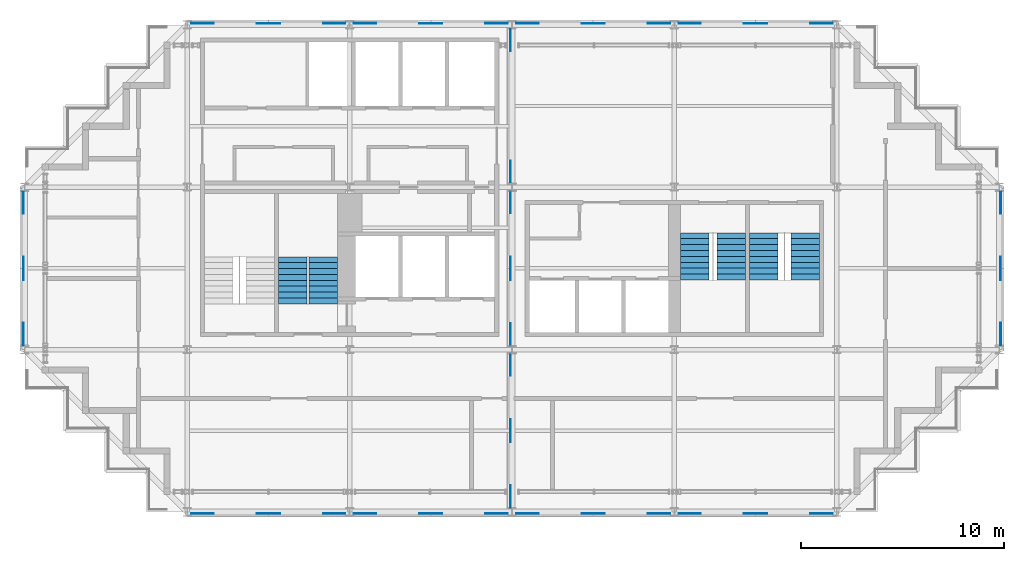
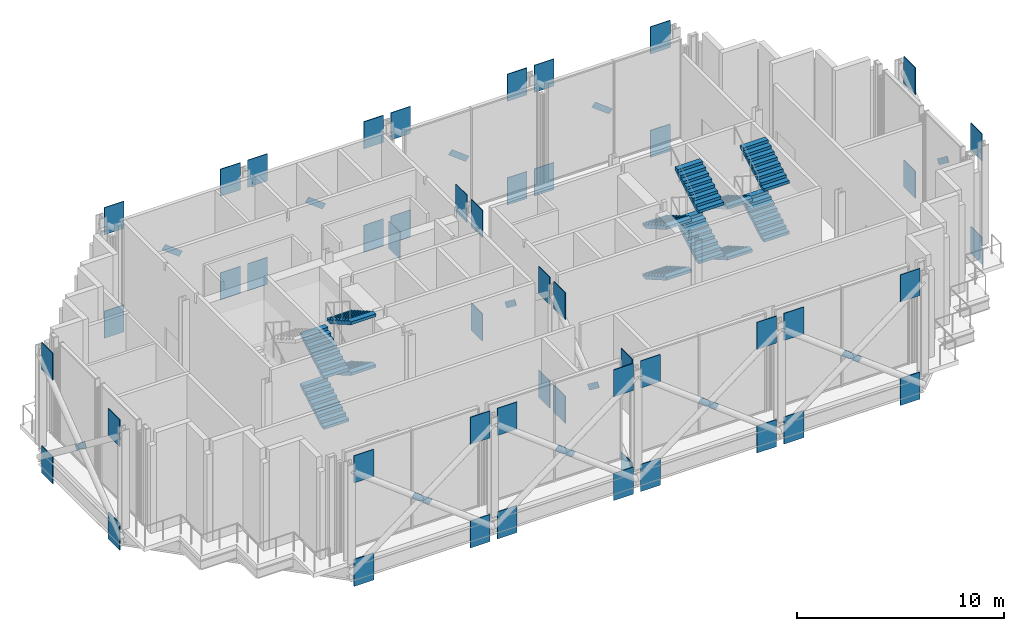
# One storey, part 14 of 16: 62 discrete accessories, 12 stair flights, 3 elements without a shape of their own.
"""IFC4 building model written with IfcOpenShell, lengths in metres."""

from ifc_helpers import new_model, si_unit, direction, frame, origin, origin_2d, place, context, subcontext, project, spatial, polyline, rectangle, outline, extrude, material, material_profile, profile_set, type_object, element, aggregate, save


model = new_model("IFC4")

# Units and contexts
model_context = context("Model", 3, precision=1e-05, world=origin(), true_north=direction((0.0, 1.0)))
body_context = subcontext(model_context, "Body", "Model", "MODEL_VIEW")
ifc_project = project(units=[si_unit("LENGTHUNIT", "METRE"), si_unit("AREAUNIT", "SQUARE_METRE"), si_unit("VOLUMEUNIT", "CUBIC_METRE"), si_unit("PLANEANGLEUNIT", "RADIAN"), si_unit("MASSUNIT", "GRAM", prefix="KILO")], contexts=[model_context])

# Site, building, storey
site_placement = place(None, origin())
site = spatial("IfcSite", under=ifc_project, at=site_placement, CompositionType="ELEMENT")
building_placement = place(site_placement, origin())
building = spatial("IfcBuilding", under=site, at=building_placement, Name="Immortelle Media Tower", CompositionType="ELEMENT")
storey_placement = place(building_placement, frame((0.0, 0.0, 241.0)))
storey = spatial("IfcBuildingStorey", under=building, at=storey_placement, Name="L52", CompositionType="ELEMENT", Elevation=241.0)

# Stair, stair flights
ifc_material_1 = material(Name="Steel ASTM A992 Gr 50", Category="steel")
stair_type = type_object("IfcStairType", Name="Stair with flights", PredefinedType="DOUBLE_RETURN_STAIR", material=ifc_material_1)
stair_1_placement = place(storey_placement, origin())
stair_1 = element("IfcStair", 1, at=stair_1_placement, inside=storey, type_object=stair_type, Name="Exit stair SW2", PredefinedType="DOUBLE_RETURN_STAIR")
stair_flight_type = type_object("IfcStairFlightType", Name="Stair flight 1400", PredefinedType="STRAIGHT", material=ifc_material_1)
stair_flight_1_placement = place(storey_placement, frame((13.199951171875, 10.25, 0.0), z_axis=(0.0, 0.0, 1.0), x_axis=(0.0, 1.0, 0.0)))
stair_flight_1 = element("IfcStairFlight", 2, at=stair_flight_1_placement, type_object=stair_flight_type, Name="ST SW2 flight 1", NumberOfRisers=9, NumberOfTreads=8, PredefinedType="STRAIGHT", RiserHeight=0.166666667, TreadLength=0.29, context=body_context, shape_type="SweptSolid", body=[
    extrude(outline(polyline([(0.0, 0.0), (0.0, 0.166748046875), (0.2900390625, 0.166748046875), (0.2900390625, 0.333251953125), (0.580078125, 0.333251953125), (0.580078125, 0.5), (0.8701171875, 0.5), (0.8701171875, 0.666748046875), (1.159912109375, 0.666748046875), (1.159912109375, 0.833251953125), (1.449951171875, 0.833251953125), (1.449951171875, 1.0), (1.739990234375, 1.0), (1.739990234375, 1.166748046875), (2.030029296875, 1.166748046875), (2.030029296875, 1.333251953125), (2.320068359375, 1.333251953125), (2.320068359375, 1.5), (2.320068359375, 1.160400390625), (0.30078125, 0.0), (0.0, 0.0)])), frame((0.0, 0.699951171875, 0.0), z_axis=(0.0, -1.0, 0.0), x_axis=(1.0, 0.0, 0.0)), (0.0, 0.0, 1.0), 1.39990234375),
])
stair_flight_2_placement = place(storey_placement, frame((14.699951171875, 12.570068359375, 1.5), z_axis=(0.0, 0.0, 1.0), x_axis=(0.0, -1.0, 0.0)))
stair_flight_2 = element("IfcStairFlight", 3, at=stair_flight_2_placement, type_object=stair_flight_type, Name="ST SW2 flight 2", NumberOfRisers=9, NumberOfTreads=8, PredefinedType="STRAIGHT", RiserHeight=0.166666667, TreadLength=0.29, context=body_context, shape_type="SweptSolid", body=[
    extrude(outline(polyline([(0.0, 0.0), (0.0, 0.166748046875), (0.2900390625, 0.166748046875), (0.2900390625, 0.333251953125), (0.580078125, 0.333251953125), (0.580078125, 0.5), (0.8701171875, 0.5), (0.8701171875, 0.666748046875), (1.159912109375, 0.666748046875), (1.159912109375, 0.833251953125), (1.449951171875, 0.833251953125), (1.449951171875, 1.0), (1.739990234375, 1.0), (1.739990234375, 1.166748046875), (2.030029296875, 1.166748046875), (2.030029296875, 1.333251953125), (2.320068359375, 1.333251953125), (2.320068359375, 1.5), (2.320068359375, 1.160400390625), (0.30078125, 0.0), (0.0, 0.0)])), frame((0.0, 0.699951171875, 0.0), z_axis=(0.0, -1.0, 0.0), x_axis=(1.0, 0.0, 0.0)), (0.0, 0.0, 1.0), 1.39990234375),
])
stair_flight_3_placement = place(storey_placement, frame((13.199951171875, 10.25, 3.0), z_axis=(0.0, 0.0, 1.0), x_axis=(0.0, 1.0, 0.0)))
stair_flight_3 = element("IfcStairFlight", 4, at=stair_flight_3_placement, type_object=stair_flight_type, Name="ST SW2 flight 3", NumberOfRisers=9, NumberOfTreads=8, PredefinedType="STRAIGHT", RiserHeight=0.166666667, TreadLength=0.29, context=body_context, shape_type="SweptSolid", body=[
    extrude(outline(polyline([(0.0, 0.0), (0.0, 0.166748046875), (0.2900390625, 0.166748046875), (0.2900390625, 0.333251953125), (0.580078125, 0.333251953125), (0.580078125, 0.5), (0.8701171875, 0.5), (0.8701171875, 0.666748046875), (1.159912109375, 0.666748046875), (1.159912109375, 0.833251953125), (1.449951171875, 0.833251953125), (1.449951171875, 1.0), (1.739990234375, 1.0), (1.739990234375, 1.166748046875), (2.030029296875, 1.166748046875), (2.030029296875, 1.333251953125), (2.320068359375, 1.333251953125), (2.320068359375, 1.5), (2.320068359375, 1.160400390625), (0.30078125, 0.0), (0.0, 0.0)])), frame((0.0, 0.699951171875, 0.0), z_axis=(0.0, -1.0, 0.0), x_axis=(1.0, 0.0, 0.0)), (0.0, 0.0, 1.0), 1.39990234375),
])
stair_flight_4_placement = place(storey_placement, frame((14.699951171875, 12.570068359375, 4.5), z_axis=(0.0, 0.0, 1.0), x_axis=(0.0, -1.0, 0.0)))
stair_flight_4 = element("IfcStairFlight", 5, at=stair_flight_4_placement, type_object=stair_flight_type, Name="ST SW2 flight 4", NumberOfRisers=9, NumberOfTreads=8, PredefinedType="STRAIGHT", RiserHeight=0.166666667, TreadLength=0.29, context=body_context, shape_type="SweptSolid", body=[
    extrude(outline(polyline([(0.0, 0.0), (0.0, 0.166748046875), (0.2900390625, 0.166748046875), (0.2900390625, 0.333251953125), (0.580078125, 0.333251953125), (0.580078125, 0.5), (0.8701171875, 0.5), (0.8701171875, 0.666748046875), (1.159912109375, 0.666748046875), (1.159912109375, 0.833251953125), (1.449951171875, 0.833251953125), (1.449951171875, 1.0), (1.739990234375, 1.0), (1.739990234375, 1.166748046875), (2.030029296875, 1.166748046875), (2.030029296875, 1.333251953125), (2.320068359375, 1.333251953125), (2.320068359375, 1.5), (2.320068359375, 1.160400390625), (0.30078125, 0.0), (0.0, 0.0)])), frame((0.0, 0.699951171875, 0.0), z_axis=(0.0, -1.0, 0.0), x_axis=(1.0, 0.0, 0.0)), (0.0, 0.0, 1.0), 1.39990234375),
])
aggregate(stair_1, [stair_flight_1, stair_flight_2, stair_flight_3, stair_flight_4])

stair_2_placement = place(storey_placement, origin())
stair_2 = element("IfcStair", 6, at=stair_2_placement, inside=storey, type_object=stair_type, Name="Exit stair SE1", PredefinedType="DOUBLE_RETURN_STAIR")
stair_flight_5_placement = place(storey_placement, frame((33.0, 13.75, 0.0), z_axis=(0.0, 0.0, 1.0), x_axis=(0.0, -1.0, 0.0)))
stair_flight_5 = element("IfcStairFlight", 7, at=stair_flight_5_placement, type_object=stair_flight_type, Name="ST SE1 flight 1", NumberOfRisers=9, NumberOfTreads=8, PredefinedType="STRAIGHT", RiserHeight=0.166666667, TreadLength=0.29, context=body_context, shape_type="SweptSolid", body=[
    extrude(outline(polyline([(0.0, 0.0), (0.0, 0.166748046875), (0.2900390625, 0.166748046875), (0.2900390625, 0.333251953125), (0.580078125, 0.333251953125), (0.580078125, 0.5), (0.8701171875, 0.5), (0.8701171875, 0.666748046875), (1.159912109375, 0.666748046875), (1.159912109375, 0.833251953125), (1.449951171875, 0.833251953125), (1.449951171875, 1.0), (1.739990234375, 1.0), (1.739990234375, 1.166748046875), (2.030029296875, 1.166748046875), (2.030029296875, 1.333251953125), (2.320068359375, 1.333251953125), (2.320068359375, 1.5), (2.320068359375, 1.160400390625), (0.30078125, 0.0), (0.0, 0.0)])), frame((0.0, 0.699951171875, 0.0), z_axis=(0.0, -1.0, 0.0), x_axis=(1.0, 0.0, 0.0)), (0.0, 0.0, 1.0), 1.39990234375),
])
stair_flight_6_placement = place(storey_placement, frame((34.800048828125, 11.429931640625, 1.5), z_axis=(0.0, 0.0, 1.0), x_axis=(0.0, 1.0, 0.0)))
stair_flight_6 = element("IfcStairFlight", 8, at=stair_flight_6_placement, type_object=stair_flight_type, Name="ST SE1 flight 2", NumberOfRisers=9, NumberOfTreads=8, PredefinedType="STRAIGHT", RiserHeight=0.166666667, TreadLength=0.29, context=body_context, shape_type="SweptSolid", body=[
    extrude(outline(polyline([(0.0, 0.0), (0.0, 0.166748046875), (0.2900390625, 0.166748046875), (0.2900390625, 0.333251953125), (0.580078125, 0.333251953125), (0.580078125, 0.5), (0.8701171875, 0.5), (0.8701171875, 0.666748046875), (1.159912109375, 0.666748046875), (1.159912109375, 0.833251953125), (1.449951171875, 0.833251953125), (1.449951171875, 1.0), (1.739990234375, 1.0), (1.739990234375, 1.166748046875), (2.030029296875, 1.166748046875), (2.030029296875, 1.333251953125), (2.320068359375, 1.333251953125), (2.320068359375, 1.5), (2.320068359375, 1.160400390625), (0.30078125, 0.0), (0.0, 0.0)])), frame((0.0, 0.699951171875, 0.0), z_axis=(0.0, -1.0, 0.0), x_axis=(1.0, 0.0, 0.0)), (0.0, 0.0, 1.0), 1.39990234375),
])
stair_flight_7_placement = place(storey_placement, frame((33.0, 13.75, 3.0), z_axis=(0.0, 0.0, 1.0), x_axis=(0.0, -1.0, 0.0)))
stair_flight_7 = element("IfcStairFlight", 9, at=stair_flight_7_placement, type_object=stair_flight_type, Name="ST SE1 flight 3", NumberOfRisers=9, NumberOfTreads=8, PredefinedType="STRAIGHT", RiserHeight=0.166666667, TreadLength=0.29, context=body_context, shape_type="SweptSolid", body=[
    extrude(outline(polyline([(0.0, 0.0), (0.0, 0.166748046875), (0.2900390625, 0.166748046875), (0.2900390625, 0.333251953125), (0.580078125, 0.333251953125), (0.580078125, 0.5), (0.8701171875, 0.5), (0.8701171875, 0.666748046875), (1.159912109375, 0.666748046875), (1.159912109375, 0.833251953125), (1.449951171875, 0.833251953125), (1.449951171875, 1.0), (1.739990234375, 1.0), (1.739990234375, 1.166748046875), (2.030029296875, 1.166748046875), (2.030029296875, 1.333251953125), (2.320068359375, 1.333251953125), (2.320068359375, 1.5), (2.320068359375, 1.160400390625), (0.30078125, 0.0), (0.0, 0.0)])), frame((0.0, 0.699951171875, 0.0), z_axis=(0.0, -1.0, 0.0), x_axis=(1.0, 0.0, 0.0)), (0.0, 0.0, 1.0), 1.39990234375),
])
stair_flight_8_placement = place(storey_placement, frame((34.800048828125, 11.429931640625, 4.5), z_axis=(0.0, 0.0, 1.0), x_axis=(0.0, 1.0, 0.0)))
stair_flight_8 = element("IfcStairFlight", 10, at=stair_flight_8_placement, type_object=stair_flight_type, Name="ST SE1 flight 4", NumberOfRisers=9, NumberOfTreads=8, PredefinedType="STRAIGHT", RiserHeight=0.166666667, TreadLength=0.29, context=body_context, shape_type="SweptSolid", body=[
    extrude(outline(polyline([(0.0, 0.0), (0.0, 0.166748046875), (0.2900390625, 0.166748046875), (0.2900390625, 0.333251953125), (0.580078125, 0.333251953125), (0.580078125, 0.5), (0.8701171875, 0.5), (0.8701171875, 0.666748046875), (1.159912109375, 0.666748046875), (1.159912109375, 0.833251953125), (1.449951171875, 0.833251953125), (1.449951171875, 1.0), (1.739990234375, 1.0), (1.739990234375, 1.166748046875), (2.030029296875, 1.166748046875), (2.030029296875, 1.333251953125), (2.320068359375, 1.333251953125), (2.320068359375, 1.5), (2.320068359375, 1.160400390625), (0.30078125, 0.0), (0.0, 0.0)])), frame((0.0, 0.699951171875, 0.0), z_axis=(0.0, -1.0, 0.0), x_axis=(1.0, 0.0, 0.0)), (0.0, 0.0, 1.0), 1.39990234375),
])
aggregate(stair_2, [stair_flight_5, stair_flight_6, stair_flight_7, stair_flight_8])

stair_3_placement = place(storey_placement, origin())
stair_3 = element("IfcStair", 11, at=stair_3_placement, inside=storey, type_object=stair_type, Name="Exit stair SE2", PredefinedType="DOUBLE_RETURN_STAIR")
stair_flight_9_placement = place(storey_placement, frame((36.39990234375, 13.75, 0.0), z_axis=(0.0, 0.0, 1.0), x_axis=(0.0, -1.0, 0.0)))
stair_flight_9 = element("IfcStairFlight", 12, at=stair_flight_9_placement, type_object=stair_flight_type, Name="ST SE2 flight 1", NumberOfRisers=9, NumberOfTreads=8, PredefinedType="STRAIGHT", RiserHeight=0.166666667, TreadLength=0.29, context=body_context, shape_type="SweptSolid", body=[
    extrude(outline(polyline([(0.0, 0.0), (0.0, 0.166748046875), (0.2900390625, 0.166748046875), (0.2900390625, 0.333251953125), (0.580078125, 0.333251953125), (0.580078125, 0.5), (0.8701171875, 0.5), (0.8701171875, 0.666748046875), (1.159912109375, 0.666748046875), (1.159912109375, 0.833251953125), (1.449951171875, 0.833251953125), (1.449951171875, 1.0), (1.739990234375, 1.0), (1.739990234375, 1.166748046875), (2.030029296875, 1.166748046875), (2.030029296875, 1.333251953125), (2.320068359375, 1.333251953125), (2.320068359375, 1.5), (2.320068359375, 1.160400390625), (0.30078125, 0.0), (0.0, 0.0)])), frame((0.0, 0.699951171875, 0.0), z_axis=(0.0, -1.0, 0.0), x_axis=(1.0, 0.0, 0.0)), (0.0, 0.0, 1.0), 1.39990234375),
])
stair_flight_10_placement = place(storey_placement, frame((38.449951171875, 11.429931640625, 1.5), z_axis=(0.0, 0.0, 1.0), x_axis=(0.0, 1.0, 0.0)))
stair_flight_10 = element("IfcStairFlight", 13, at=stair_flight_10_placement, type_object=stair_flight_type, Name="ST SE2 flight 2", NumberOfRisers=9, NumberOfTreads=8, PredefinedType="STRAIGHT", RiserHeight=0.166666667, TreadLength=0.29, context=body_context, shape_type="SweptSolid", body=[
    extrude(outline(polyline([(0.0, 0.0), (0.0, 0.166748046875), (0.2900390625, 0.166748046875), (0.2900390625, 0.333251953125), (0.580078125, 0.333251953125), (0.580078125, 0.5), (0.8701171875, 0.5), (0.8701171875, 0.666748046875), (1.159912109375, 0.666748046875), (1.159912109375, 0.833251953125), (1.449951171875, 0.833251953125), (1.449951171875, 1.0), (1.739990234375, 1.0), (1.739990234375, 1.166748046875), (2.030029296875, 1.166748046875), (2.030029296875, 1.333251953125), (2.320068359375, 1.333251953125), (2.320068359375, 1.5), (2.320068359375, 1.160400390625), (0.30078125, 0.0), (0.0, 0.0)])), frame((0.0, 0.699951171875, 0.0), z_axis=(0.0, -1.0, 0.0), x_axis=(1.0, 0.0, 0.0)), (0.0, 0.0, 1.0), 1.39990234375),
])
stair_flight_11_placement = place(storey_placement, frame((36.39990234375, 13.75, 3.0), z_axis=(0.0, 0.0, 1.0), x_axis=(0.0, -1.0, 0.0)))
stair_flight_11 = element("IfcStairFlight", 14, at=stair_flight_11_placement, type_object=stair_flight_type, Name="ST SE2 flight 3", NumberOfRisers=9, NumberOfTreads=8, PredefinedType="STRAIGHT", RiserHeight=0.166666667, TreadLength=0.29, context=body_context, shape_type="SweptSolid", body=[
    extrude(outline(polyline([(0.0, 0.0), (0.0, 0.166748046875), (0.2900390625, 0.166748046875), (0.2900390625, 0.333251953125), (0.580078125, 0.333251953125), (0.580078125, 0.5), (0.8701171875, 0.5), (0.8701171875, 0.666748046875), (1.159912109375, 0.666748046875), (1.159912109375, 0.833251953125), (1.449951171875, 0.833251953125), (1.449951171875, 1.0), (1.739990234375, 1.0), (1.739990234375, 1.166748046875), (2.030029296875, 1.166748046875), (2.030029296875, 1.333251953125), (2.320068359375, 1.333251953125), (2.320068359375, 1.5), (2.320068359375, 1.160400390625), (0.30078125, 0.0), (0.0, 0.0)])), frame((0.0, 0.699951171875, 0.0), z_axis=(0.0, -1.0, 0.0), x_axis=(1.0, 0.0, 0.0)), (0.0, 0.0, 1.0), 1.39990234375),
])
stair_flight_12_placement = place(storey_placement, frame((38.449951171875, 11.429931640625, 4.5), z_axis=(0.0, 0.0, 1.0), x_axis=(0.0, 1.0, 0.0)))
stair_flight_12 = element("IfcStairFlight", 15, at=stair_flight_12_placement, type_object=stair_flight_type, Name="ST SE2 flight 4", NumberOfRisers=9, NumberOfTreads=8, PredefinedType="STRAIGHT", RiserHeight=0.166666667, TreadLength=0.29, context=body_context, shape_type="SweptSolid", body=[
    extrude(outline(polyline([(0.0, 0.0), (0.0, 0.166748046875), (0.2900390625, 0.166748046875), (0.2900390625, 0.333251953125), (0.580078125, 0.333251953125), (0.580078125, 0.5), (0.8701171875, 0.5), (0.8701171875, 0.666748046875), (1.159912109375, 0.666748046875), (1.159912109375, 0.833251953125), (1.449951171875, 0.833251953125), (1.449951171875, 1.0), (1.739990234375, 1.0), (1.739990234375, 1.166748046875), (2.030029296875, 1.166748046875), (2.030029296875, 1.333251953125), (2.320068359375, 1.333251953125), (2.320068359375, 1.5), (2.320068359375, 1.160400390625), (0.30078125, 0.0), (0.0, 0.0)])), frame((0.0, 0.699951171875, 0.0), z_axis=(0.0, -1.0, 0.0), x_axis=(1.0, 0.0, 0.0)), (0.0, 0.0, 1.0), 1.39990234375),
])
aggregate(stair_3, [stair_flight_9, stair_flight_10, stair_flight_11, stair_flight_12])

# Discrete accessories
ifc_material_2 = material(Name="Steel ASTM A572 Gr 50", Category="steel")
ifc_material_profile_1 = material_profile(ifc_material_2, rectangle(XDim=0.02392578125, YDim=0.323974609375, at=origin_2d()), Name="PL 24 x 324")
ifc_profile_set_1 = profile_set([ifc_material_profile_1], Name="Steel ASTM A572 Gr 50")
discrete_accessory_type_1 = type_object("IfcDiscreteAccessoryType", Name="Crossing plate XP-BT3 1200 x 324 x 24", PredefinedType="USERDEFINED", material=ifc_profile_set_1)
for number, where, z_axis, x_axis, name in (
    (16, (-0.072021484375, 11.523193359375, 2.740478515625), (0.0, 0.794646471709, -0.607072470962), (-1.0, 0.0, 0.0), "Crossing plate XP-BT3 of Belt truss 1/B-C A and Belt truss 1/B-C B"),
    (17, (11.523193359375, -0.072021484375, 2.740478515625), (0.794646471709, 0.0, -0.607072470962), (0.0, 1.0, 0.0), "Crossing plate XP-BT3 of Belt truss A/2-3 A and Belt truss A/2-3 B"),
    (18, (11.523193359375, 24.072021484375, 2.740478515625), (0.794646471709, 0.0, -0.607072470962), (0.0, 1.0, 0.0), "Crossing plate XP-BT3 of Belt truss D/2-3 A and Belt truss D/2-3 B"),
    (19, (19.523193359375, -0.072021484375, 2.740478515625), (0.794646471709, 0.0, -0.607072470962), (0.0, 1.0, 0.0), "Crossing plate XP-BT3 of Belt truss A/3-4 A and Belt truss A/3-4 B"),
    (20, (19.523193359375, 24.072021484375, 2.740478515625), (0.794646471709, 0.0, -0.607072470962), (0.0, 1.0, 0.0), "Crossing plate XP-BT3 of Belt truss D/3-4 A and Belt truss D/3-4 B"),
    (21, (23.927978515625, 3.523193359375, 2.740478515625), (0.0, 0.794646471709, -0.607072470962), (-1.0, 0.0, 0.0), "Crossing plate XP-BT3 of Belt truss 4/A-B A and Belt truss 4/A-B B"),
    (22, (27.523193359375, -0.072021484375, 2.740478515625), (0.794646471709, 0.0, -0.607072470962), (0.0, 1.0, 0.0), "Crossing plate XP-BT3 of Belt truss A/4-5 A and Belt truss A/4-5 B"),
    (23, (23.927978515625, 11.523193359375, 2.740478515625), (0.0, 0.794646471709, -0.607072470962), (-1.0, 0.0, 0.0), "Crossing plate XP-BT3 of Belt truss 4/B-C A and Belt truss 4/B-C B"),
    (24, (27.523193359375, 24.072021484375, 2.740478515625), (0.794646471709, 0.0, -0.607072470962), (0.0, 1.0, 0.0), "Crossing plate XP-BT3 of Belt truss D/4-5 A and Belt truss D/4-5 B"),
    (25, (35.523193359375, -0.072021484375, 2.740478515625), (0.794646471709, 0.0, -0.607072470962), (0.0, 1.0, 0.0), "Crossing plate XP-BT3 of Belt truss A/5-6 A and Belt truss A/5-6 B"),
    (26, (35.523193359375, 24.072021484375, 2.740478515625), (0.794646471709, 0.0, -0.607072470962), (0.0, 1.0, 0.0), "Crossing plate XP-BT3 of Belt truss D/5-6 A and Belt truss D/5-6 B"),
    (27, (48.072021484375, 11.523193359375, 2.740478515625), (0.0, 0.794646471709, -0.607072470962), (-1.0, 0.0, 0.0), "Crossing plate XP-BT3 of Belt truss 7/B-C A and Belt truss 7/B-C B"),
):
    element("IfcDiscreteAccessory", number, at=place(storey_placement, frame(where, z_axis=z_axis, x_axis=x_axis)), inside=storey, type_object=discrete_accessory_type_1, Name=name, ObjectType="CROSSING PLATE", PredefinedType="USERDEFINED", context=body_context, shape_type="SweptSolid", body=[
        extrude(rectangle(XDim=0.02392578125, YDim=0.323974609375, at=origin_2d()), origin(), (0.0, 0.0, 1.0), 1.199951171875),
    ])
ifc_material_profile_2 = material_profile(ifc_material_2, rectangle(XDim=0.0400390625, YDim=1.60009765625, at=origin_2d()), Name="PL 40 x 1600")
ifc_profile_set_2 = profile_set([ifc_material_profile_2], Name="Steel ASTM A572 Gr 50")
discrete_accessory_type_2 = type_object("IfcDiscreteAccessoryType", Name="Gusset plate GP2 1100 x 1600 x 40", PredefinedType="USERDEFINED", material=ifc_profile_set_2)
for number, where, z_axis, x_axis, name in (
    (28, (-0.072021484375, 8.217041015625, -0.679443359375), (0.0, 1.0, 0.0), (-1.0, 0.0, 0.0), "Gusset plate GP2, lower end of Belt truss 1/B-C A"),
    (29, (-0.072021484375, 15.782958984375, 5.431884765625), (0.0, -1.0, 0.0), (1.0, 0.0, 0.0), "Gusset plate GP2, upper end of Belt truss 1/B-C A"),
    (30, (-0.072021484375, 15.782958984375, -0.679443359375), (0.0, -1.0, 0.0), (1.0, 0.0, 0.0), "Gusset plate GP2, lower end of Belt truss 1/B-C B"),
    (31, (-0.072021484375, 8.217041015625, 5.431884765625), (0.0, 1.0, 0.0), (-1.0, 0.0, 0.0), "Gusset plate GP2, upper end of Belt truss 1/B-C B"),
    (32, (8.20556640625, -0.072021484375, -0.679443359375), (1.0, 0.0, 0.0), (0.0, 1.0, 0.0), "Gusset plate GP2, lower end of Belt truss A/2-3 A"),
    (33, (15.79443359375, -0.072021484375, 5.431884765625), (-1.0, 0.0, 0.0), (0.0, -1.0, 0.0), "Gusset plate GP2, upper end of Belt truss A/2-3 A"),
    (34, (15.79443359375, -0.072021484375, -0.679443359375), (-1.0, 0.0, 0.0), (0.0, -1.0, 0.0), "Gusset plate GP2, lower end of Belt truss A/2-3 B"),
    (35, (8.20556640625, -0.072021484375, 5.431884765625), (1.0, 0.0, 0.0), (0.0, 1.0, 0.0), "Gusset plate GP2, upper end of Belt truss A/2-3 B"),
    (36, (8.20556640625, 24.072021484375, -0.679443359375), (1.0, 0.0, 0.0), (0.0, 1.0, 0.0), "Gusset plate GP2, lower end of Belt truss D/2-3 A"),
    (37, (15.79443359375, 24.072021484375, 5.431884765625), (-1.0, 0.0, 0.0), (0.0, -1.0, 0.0), "Gusset plate GP2, upper end of Belt truss D/2-3 A"),
    (38, (15.79443359375, 24.072021484375, -0.679443359375), (-1.0, 0.0, 0.0), (0.0, -1.0, 0.0), "Gusset plate GP2, lower end of Belt truss D/2-3 B"),
    (39, (8.20556640625, 24.072021484375, 5.431884765625), (1.0, 0.0, 0.0), (0.0, 1.0, 0.0), "Gusset plate GP2, upper end of Belt truss D/2-3 B"),
    (40, (16.20556640625, -0.072021484375, -0.679443359375), (1.0, 0.0, 0.0), (0.0, 1.0, 0.0), "Gusset plate GP2, lower end of Belt truss A/3-4 A"),
    (41, (23.79443359375, -0.072021484375, 5.431884765625), (-1.0, 0.0, 0.0), (0.0, -1.0, 0.0), "Gusset plate GP2, upper end of Belt truss A/3-4 A"),
    (42, (23.79443359375, -0.072021484375, -0.679443359375), (-1.0, 0.0, 0.0), (0.0, -1.0, 0.0), "Gusset plate GP2, lower end of Belt truss A/3-4 B"),
    (43, (16.20556640625, -0.072021484375, 5.431884765625), (1.0, 0.0, 0.0), (0.0, 1.0, 0.0), "Gusset plate GP2, upper end of Belt truss A/3-4 B"),
    (44, (16.20556640625, 24.072021484375, -0.679443359375), (1.0, 0.0, 0.0), (0.0, 1.0, 0.0), "Gusset plate GP2, lower end of Belt truss D/3-4 A"),
    (45, (23.79443359375, 24.072021484375, 5.431884765625), (-1.0, 0.0, 0.0), (0.0, -1.0, 0.0), "Gusset plate GP2, upper end of Belt truss D/3-4 A"),
    (46, (23.79443359375, 24.072021484375, -0.679443359375), (-1.0, 0.0, 0.0), (0.0, -1.0, 0.0), "Gusset plate GP2, lower end of Belt truss D/3-4 B"),
    (47, (16.20556640625, 24.072021484375, 5.431884765625), (1.0, 0.0, 0.0), (0.0, 1.0, 0.0), "Gusset plate GP2, upper end of Belt truss D/3-4 B"),
    (48, (24.20556640625, -0.072021484375, -0.679443359375), (1.0, 0.0, 0.0), (0.0, 1.0, 0.0), "Gusset plate GP2, lower end of Belt truss A/4-5 A"),
    (49, (31.79443359375, -0.072021484375, 5.431884765625), (-1.0, 0.0, 0.0), (0.0, -1.0, 0.0), "Gusset plate GP2, upper end of Belt truss A/4-5 A"),
    (50, (31.79443359375, -0.072021484375, -0.679443359375), (-1.0, 0.0, 0.0), (0.0, -1.0, 0.0), "Gusset plate GP2, lower end of Belt truss A/4-5 B"),
    (51, (24.20556640625, -0.072021484375, 5.431884765625), (1.0, 0.0, 0.0), (0.0, 1.0, 0.0), "Gusset plate GP2, upper end of Belt truss A/4-5 B"),
    (52, (23.927978515625, 0.217041015625, -0.679443359375), (0.0, 1.0, 0.0), (-1.0, 0.0, 0.0), "Gusset plate GP2, lower end of Belt truss 4/A-B A"),
    (53, (23.927978515625, 7.806884765625, 5.431884765625), (0.0, -1.0, 0.0), (1.0, 0.0, 0.0), "Gusset plate GP2, upper end of Belt truss 4/A-B A"),
    (54, (23.927978515625, 7.806884765625, -0.679443359375), (0.0, -1.0, 0.0), (1.0, 0.0, 0.0), "Gusset plate GP2, lower end of Belt truss 4/A-B B"),
    (55, (23.927978515625, 0.217041015625, 5.431884765625), (0.0, 1.0, 0.0), (-1.0, 0.0, 0.0), "Gusset plate GP2, upper end of Belt truss 4/A-B B"),
    (56, (23.927978515625, 8.193115234375, -0.679443359375), (0.0, 1.0, 0.0), (-1.0, 0.0, 0.0), "Gusset plate GP2, lower end of Belt truss 4/B-C A"),
    (57, (23.927978515625, 15.806884765625, 5.431884765625), (0.0, -1.0, 0.0), (1.0, 0.0, 0.0), "Gusset plate GP2, upper end of Belt truss 4/B-C A"),
    (58, (23.927978515625, 15.806884765625, -0.679443359375), (0.0, -1.0, 0.0), (1.0, 0.0, 0.0), "Gusset plate GP2, lower end of Belt truss 4/B-C B"),
    (59, (23.927978515625, 8.193115234375, 5.431884765625), (0.0, 1.0, 0.0), (-1.0, 0.0, 0.0), "Gusset plate GP2, upper end of Belt truss 4/B-C B"),
    (60, (23.927978515625, 23.782958984375, -0.679443359375), (0.0, -1.0, 0.0), (1.0, 0.0, 0.0), "Gusset plate GP2, lower end of Belt truss 4/C-D B"),
    (61, (23.927978515625, 16.193115234375, 5.431884765625), (0.0, 1.0, 0.0), (-1.0, 0.0, 0.0), "Gusset plate GP2, upper end of Belt truss 4/C-D B"),
    (62, (24.20556640625, 24.072021484375, -0.679443359375), (1.0, 0.0, 0.0), (0.0, 1.0, 0.0), "Gusset plate GP2, lower end of Belt truss D/4-5 A"),
    (63, (31.79443359375, 24.072021484375, 5.431884765625), (-1.0, 0.0, 0.0), (0.0, -1.0, 0.0), "Gusset plate GP2, upper end of Belt truss D/4-5 A"),
    (64, (31.79443359375, 24.072021484375, -0.679443359375), (-1.0, 0.0, 0.0), (0.0, -1.0, 0.0), "Gusset plate GP2, lower end of Belt truss D/4-5 B"),
    (65, (24.20556640625, 24.072021484375, 5.431884765625), (1.0, 0.0, 0.0), (0.0, 1.0, 0.0), "Gusset plate GP2, upper end of Belt truss D/4-5 B"),
    (66, (32.20556640625, -0.072021484375, -0.679443359375), (1.0, 0.0, 0.0), (0.0, 1.0, 0.0), "Gusset plate GP2, lower end of Belt truss A/5-6 A"),
    (67, (39.79443359375, -0.072021484375, 5.431884765625), (-1.0, 0.0, 0.0), (0.0, -1.0, 0.0), "Gusset plate GP2, upper end of Belt truss A/5-6 A"),
    (68, (39.79443359375, -0.072021484375, -0.679443359375), (-1.0, 0.0, 0.0), (0.0, -1.0, 0.0), "Gusset plate GP2, lower end of Belt truss A/5-6 B"),
    (69, (32.20556640625, -0.072021484375, 5.431884765625), (1.0, 0.0, 0.0), (0.0, 1.0, 0.0), "Gusset plate GP2, upper end of Belt truss A/5-6 B"),
    (70, (32.20556640625, 24.072021484375, -0.679443359375), (1.0, 0.0, 0.0), (0.0, 1.0, 0.0), "Gusset plate GP2, lower end of Belt truss D/5-6 A"),
    (71, (39.79443359375, 24.072021484375, 5.431884765625), (-1.0, 0.0, 0.0), (0.0, -1.0, 0.0), "Gusset plate GP2, upper end of Belt truss D/5-6 A"),
    (72, (39.79443359375, 24.072021484375, -0.679443359375), (-1.0, 0.0, 0.0), (0.0, -1.0, 0.0), "Gusset plate GP2, lower end of Belt truss D/5-6 B"),
    (73, (32.20556640625, 24.072021484375, 5.431884765625), (1.0, 0.0, 0.0), (0.0, 1.0, 0.0), "Gusset plate GP2, upper end of Belt truss D/5-6 B"),
    (74, (48.072021484375, 8.217041015625, -0.679443359375), (0.0, 1.0, 0.0), (-1.0, 0.0, 0.0), "Gusset plate GP2, lower end of Belt truss 7/B-C A"),
    (75, (48.072021484375, 15.782958984375, 5.431884765625), (0.0, -1.0, 0.0), (1.0, 0.0, 0.0), "Gusset plate GP2, upper end of Belt truss 7/B-C A"),
    (76, (48.072021484375, 15.782958984375, -0.679443359375), (0.0, -1.0, 0.0), (1.0, 0.0, 0.0), "Gusset plate GP2, lower end of Belt truss 7/B-C B"),
    (77, (48.072021484375, 8.217041015625, 5.431884765625), (0.0, 1.0, 0.0), (-1.0, 0.0, 0.0), "Gusset plate GP2, upper end of Belt truss 7/B-C B"),
):
    element("IfcDiscreteAccessory", number, at=place(storey_placement, frame(where, z_axis=z_axis, x_axis=x_axis)), inside=storey, type_object=discrete_accessory_type_2, Name=name, ObjectType="GUSSET PLATE", PredefinedType="USERDEFINED", context=body_context, shape_type="SweptSolid", body=[
        extrude(rectangle(XDim=0.0400390625, YDim=1.60009765625, at=origin_2d()), origin(), (0.0, 0.0, 1.0), 1.099853515625),
    ])

save(model, "model.ifc")
